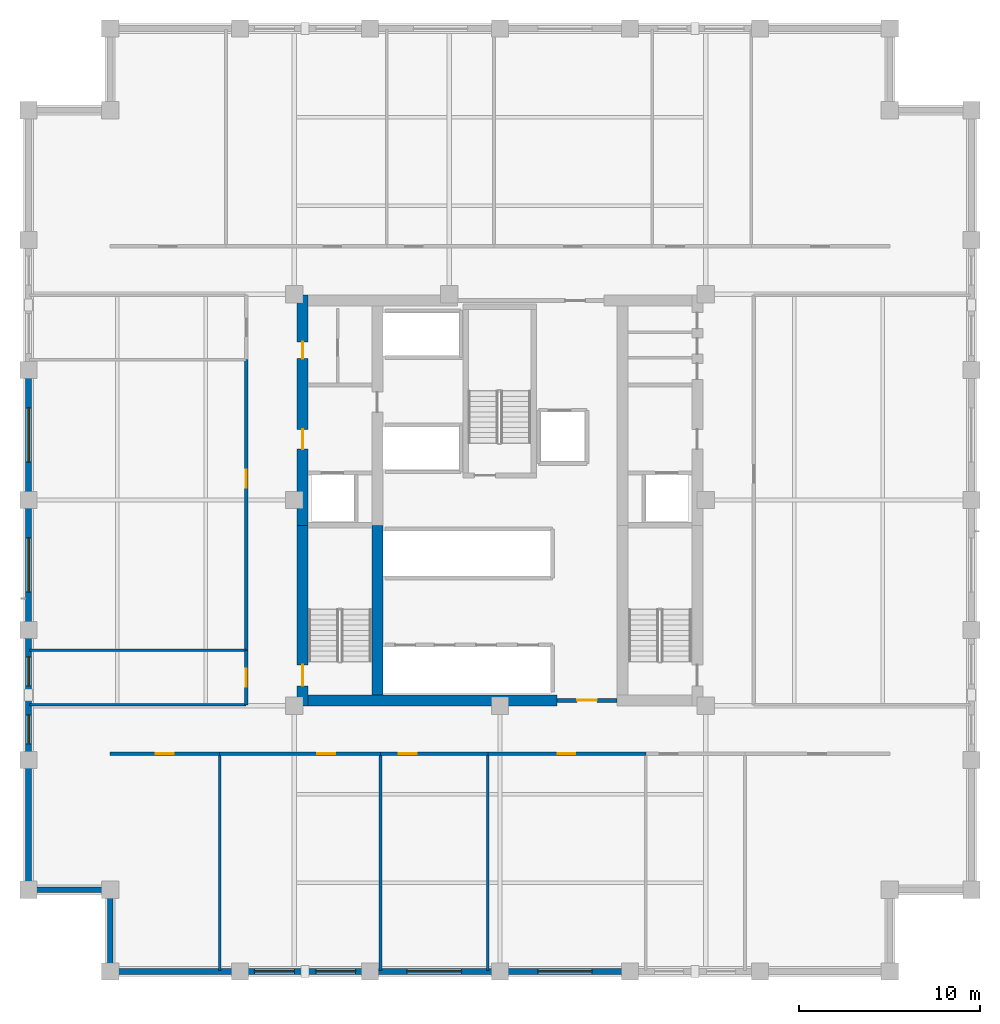
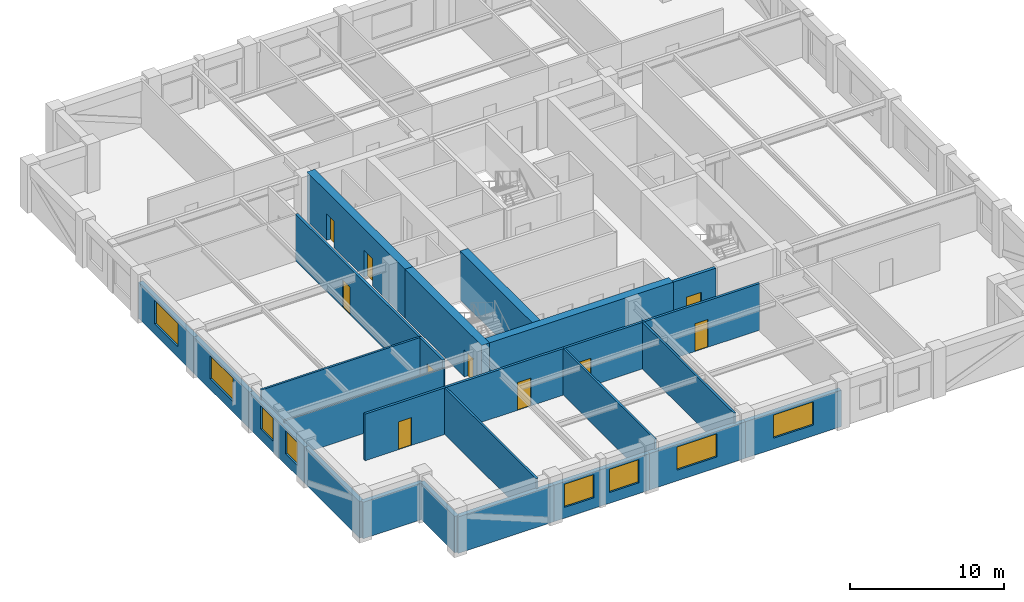
# One storey, part 5 of 9: 26 walls, 10 doors, 8 windows, 18 openings.
"""IFC4 building model written with IfcOpenShell, lengths in metres."""

from ifc_helpers import new_model, si_unit, direction, frame, frame_2d, origin, place, context, subcontext, project, spatial, rectangle, extrude, material, layer, layer_set, type_object, element, fill, save


model = new_model("IFC4")

# Units and contexts
model_context = context("Model", 3, precision=1e-05, world=origin(), true_north=direction((0.0, 1.0)))
body_context = subcontext(model_context, "Body", "Model", "MODEL_VIEW")
ifc_project = project(units=[si_unit("LENGTHUNIT", "METRE"), si_unit("AREAUNIT", "SQUARE_METRE"), si_unit("VOLUMEUNIT", "CUBIC_METRE"), si_unit("PLANEANGLEUNIT", "RADIAN"), si_unit("MASSUNIT", "GRAM", prefix="KILO")], contexts=[model_context])

# Site, building, storey
site_placement = place(None, origin())
site = spatial("IfcSite", under=ifc_project, at=site_placement, CompositionType="ELEMENT")
building_placement = place(site_placement, origin())
building = spatial("IfcBuilding", under=site, at=building_placement, Name="Nhamokura Convention Tower", CompositionType="ELEMENT")
storey_placement = place(building_placement, frame((0.0, 0.0, 126.0)))
storey = spatial("IfcBuildingStorey", under=building, at=storey_placement, Name="L30", CompositionType="ELEMENT", Elevation=126.0)

# Wall
ifc_material_1 = material(Name="Bronze-pigmented precast concrete C45/55", Category="concrete")
ifc_layer_1 = layer(ifc_material_1, 0.320068359375)
ifc_layer_set_1 = layer_set([ifc_layer_1], Name="BronzePrecastSpandrel_320")
wall_type_1 = type_object("IfcWallType", Name="BronzePrecastSpandrel_320", PredefinedType="USERDEFINED", material=ifc_layer_set_1)
wall_1_placement = place(storey_placement, frame((17.666748046875, 6.0, 0.0), z_axis=(0.0, 0.0, 1.0), x_axis=(-1.0, 0.0, 0.0)))
element("IfcWall", 1, at=wall_1_placement, inside=storey, type_object=wall_type_1, Name="L30 Braced-Bay Precast Wall SOUTH 0", ObjectType="SPANDREL_WALL", PredefinedType="USERDEFINED", context=body_context, shape_type="SweptSolid", body=[
    extrude(rectangle(XDim=7.166748046875, YDim=0.320068359375, at=frame_2d((3.58349609375, 0.0))), origin(), (0.0, 0.0, 1.0), 2.885009765625),
])

# Wall, openings, windows
wall_2_placement = place(storey_placement, frame((24.833251953125, 6.0, 0.0), z_axis=(0.0, 0.0, 1.0), x_axis=(-1.0, 0.0, 0.0)))
wall_2 = element("IfcWall", 2, at=wall_2_placement, inside=storey, type_object=wall_type_1, Name="L30 Masonry-Frame Wall SOUTH 1", ObjectType="SPANDREL_WALL", PredefinedType="USERDEFINED", context=body_context, shape_type="SweptSolid", body=[
    extrude(rectangle(XDim=7.16650390625, YDim=0.320068359375, at=frame_2d((3.583251953125, 0.0))), origin(), (0.0, 0.0, 1.0), 2.885009765625),
])
opening_1_placement = place(wall_2_placement, frame((0.791748046875, 0.0, 0.85009765625)))
opening_1 = element("IfcOpeningElement", 3, at=opening_1_placement, cuts=wall_2, Name="Opening W-06", PredefinedType="OPENING", context=body_context, shape_type="SweptSolid", body=[
    extrude(rectangle(XDim=2.199951171875, YDim=1.8349609375, at=frame_2d((1.10009765625, 0.91748046875))), frame((0.0, 0.169921875, 0.0), z_axis=(0.0, -1.0, 0.0), x_axis=(1.0, 0.0, 0.0)), (0.0, 0.0, 1.0), 0.340087890625),
])
opening_2_placement = place(wall_2_placement, frame((4.175048828125, 0.0, 0.85009765625)))
opening_2 = element("IfcOpeningElement", 4, at=opening_2_placement, cuts=wall_2, Name="Opening W-06", PredefinedType="OPENING", context=body_context, shape_type="SweptSolid", body=[
    extrude(rectangle(XDim=2.199951171875, YDim=1.8349609375, at=frame_2d((1.10009765625, 0.91748046875))), frame((0.0, 0.169921875, 0.0), z_axis=(0.0, -1.0, 0.0), x_axis=(1.0, 0.0, 0.0)), (0.0, 0.0, 1.0), 0.340087890625),
])
ifc_material_2 = material(Name="Solar-control bronze low-E double glass", Category="glass")
window_type_1 = type_object("IfcWindowType", Name="OfficeModuleWindow_Z2_2200", PartitioningType="SINGLE_PANEL", PredefinedType="WINDOW", material=ifc_material_2)
window_1_placement = place(opening_1_placement, origin())
window_1 = element("IfcWindow", 5, at=window_1_placement, inside=storey, type_object=window_type_1, Name="L30 Facade Window SOUTH 1-1", OverallHeight=1.8349609375, OverallWidth=2.199951171875, PartitioningType="SINGLE_PANEL", PredefinedType="WINDOW", context=body_context, shape_type="SweptSolid", body=[
    extrude(rectangle(XDim=2.199951171875, YDim=1.8349609375, at=frame_2d((1.10009765625, 0.91748046875))), frame((0.0, 0.030029296875, 0.0), z_axis=(0.0, -1.0, 0.0), x_axis=(1.0, 0.0, 0.0)), (0.0, 0.0, 1.0), 0.06005859375),
])
fill(opening_1, window_1)
window_2_placement = place(opening_2_placement, origin())
window_2 = element("IfcWindow", 6, at=window_2_placement, inside=storey, type_object=window_type_1, Name="L30 Facade Window SOUTH 1-2", OverallHeight=1.8349609375, OverallWidth=2.199951171875, PartitioningType="SINGLE_PANEL", PredefinedType="WINDOW", context=body_context, shape_type="SweptSolid", body=[
    extrude(rectangle(XDim=2.199951171875, YDim=1.8349609375, at=frame_2d((1.10009765625, 0.91748046875))), frame((0.0, 0.030029296875, 0.0), z_axis=(0.0, -1.0, 0.0), x_axis=(1.0, 0.0, 0.0)), (0.0, 0.0, 1.0), 0.06005859375),
])
fill(opening_2, window_2)

# Wall, opening, window
wall_3_placement = place(storey_placement, frame((32.0, 6.0, 0.0), z_axis=(0.0, 0.0, 1.0), x_axis=(-1.0, 0.0, 0.0)))
wall_3 = element("IfcWall", 7, at=wall_3_placement, inside=storey, type_object=wall_type_1, Name="L30 Masonry-Frame Wall SOUTH 2", ObjectType="SPANDREL_WALL", PredefinedType="USERDEFINED", context=body_context, shape_type="SweptSolid", body=[
    extrude(rectangle(XDim=7.166748046875, YDim=0.320068359375, at=frame_2d((3.58349609375, 0.0))), origin(), (0.0, 0.0, 1.0), 2.885009765625),
])
opening_3_placement = place(wall_3_placement, frame((2.13330078125, 0.0, 0.85009765625)))
opening_3 = element("IfcOpeningElement", 8, at=opening_3_placement, cuts=wall_3, Name="Opening W-05", PredefinedType="OPENING", context=body_context, shape_type="SweptSolid", body=[
    extrude(rectangle(XDim=3.0, YDim=1.8349609375, at=frame_2d((1.5, 0.91748046875))), frame((0.0, 0.169921875, 0.0), z_axis=(0.0, -1.0, 0.0), x_axis=(1.0, 0.0, 0.0)), (0.0, 0.0, 1.0), 0.340087890625),
])
ifc_material_3 = material(Name="Solar-control bronze low-E double glass", Category="glass")
window_type_2 = type_object("IfcWindowType", Name="OfficeModuleWindow_Z2_3000", PartitioningType="DOUBLE_PANEL_VERTICAL", PredefinedType="WINDOW", material=ifc_material_3)
window_3_placement = place(opening_3_placement, origin())
window_3 = element("IfcWindow", 9, at=window_3_placement, inside=storey, type_object=window_type_2, Name="L30 Facade Window SOUTH 2", OverallHeight=1.8349609375, OverallWidth=3.0, PartitioningType="SINGLE_PANEL", PredefinedType="WINDOW", context=body_context, shape_type="SweptSolid", body=[
    extrude(rectangle(XDim=3.0, YDim=1.8349609375, at=frame_2d((1.5, 0.91748046875))), frame((0.0, 0.030029296875, 0.0), z_axis=(0.0, -1.0, 0.0), x_axis=(1.0, 0.0, 0.0)), (0.0, 0.0, 1.0), 0.06005859375),
])
fill(opening_3, window_3)

wall_4_placement = place(storey_placement, frame((39.166748046875, 6.0, 0.0), z_axis=(0.0, 0.0, 1.0), x_axis=(-1.0, 0.0, 0.0)))
wall_4 = element("IfcWall", 10, at=wall_4_placement, inside=storey, type_object=wall_type_1, Name="L30 Masonry-Frame Wall SOUTH 3", ObjectType="SPANDREL_WALL", PredefinedType="USERDEFINED", context=body_context, shape_type="SweptSolid", body=[
    extrude(rectangle(XDim=7.166748046875, YDim=0.320068359375, at=frame_2d((3.58349609375, 0.0))), origin(), (0.0, 0.0, 1.0), 2.885009765625),
])
opening_4_placement = place(wall_4_placement, frame((2.083251953125, 0.0, 0.85009765625)))
opening_4 = element("IfcOpeningElement", 11, at=opening_4_placement, cuts=wall_4, Name="Opening W-05", PredefinedType="OPENING", context=body_context, shape_type="SweptSolid", body=[
    extrude(rectangle(XDim=3.0, YDim=1.8349609375, at=frame_2d((1.5, 0.91748046875))), frame((0.0, 0.169921875, 0.0), z_axis=(0.0, -1.0, 0.0), x_axis=(1.0, 0.0, 0.0)), (0.0, 0.0, 1.0), 0.340087890625),
])
window_4_placement = place(opening_4_placement, origin())
window_4 = element("IfcWindow", 12, at=window_4_placement, inside=storey, type_object=window_type_2, Name="L30 Facade Window SOUTH 3", OverallHeight=1.8349609375, OverallWidth=3.0, PartitioningType="SINGLE_PANEL", PredefinedType="WINDOW", context=body_context, shape_type="SweptSolid", body=[
    extrude(rectangle(XDim=3.0, YDim=1.8349609375, at=frame_2d((1.5, 0.91748046875))), frame((0.0, 0.030029296875, 0.0), z_axis=(0.0, -1.0, 0.0), x_axis=(1.0, 0.0, 0.0)), (0.0, 0.0, 1.0), 0.06005859375),
])
fill(opening_4, window_4)

# Wall
wall_5_placement = place(storey_placement, frame((6.0, 10.5, 0.0), z_axis=(0.0, 0.0, 1.0), x_axis=(0.0, 1.0, 0.0)))
element("IfcWall", 13, at=wall_5_placement, inside=storey, type_object=wall_type_1, Name="L30 Braced-Bay Precast Wall WEST 0", ObjectType="SPANDREL_WALL", PredefinedType="USERDEFINED", context=body_context, shape_type="SweptSolid", body=[
    extrude(rectangle(XDim=7.166748046875, YDim=0.320068359375, at=frame_2d((3.58349609375, 0.0))), origin(), (0.0, 0.0, 1.0), 2.885009765625),
])

# Wall, openings, windows
wall_6_placement = place(storey_placement, frame((6.0, 17.666748046875, 0.0), z_axis=(0.0, 0.0, 1.0), x_axis=(0.0, 1.0, 0.0)))
wall_6 = element("IfcWall", 14, at=wall_6_placement, inside=storey, type_object=wall_type_1, Name="L30 Masonry-Frame Wall WEST 1", ObjectType="SPANDREL_WALL", PredefinedType="USERDEFINED", context=body_context, shape_type="SweptSolid", body=[
    extrude(rectangle(XDim=7.16650390625, YDim=0.320068359375, at=frame_2d((3.583251953125, 0.0))), origin(), (0.0, 0.0, 1.0), 2.885009765625),
])
opening_5_placement = place(wall_6_placement, frame((0.879150390625, 0.0, 0.85009765625)))
opening_5 = element("IfcOpeningElement", 15, at=opening_5_placement, cuts=wall_6, Name="Opening W-11", PredefinedType="OPENING", context=body_context, shape_type="SweptSolid", body=[
    extrude(rectangle(XDim=1.60009765625, YDim=1.8349609375, at=frame_2d((0.800048828125, 0.91748046875))), frame((0.0, 0.169921875, 0.0), z_axis=(0.0, -1.0, 0.0), x_axis=(1.0, 0.0, 0.0)), (0.0, 0.0, 1.0), 0.340087890625),
])
opening_6_placement = place(wall_6_placement, frame((4.074951171875, 0.0, 0.85009765625)))
opening_6 = element("IfcOpeningElement", 16, at=opening_6_placement, cuts=wall_6, Name="Opening W-11", PredefinedType="OPENING", context=body_context, shape_type="SweptSolid", body=[
    extrude(rectangle(XDim=1.60009765625, YDim=1.8349609375, at=frame_2d((0.800048828125, 0.91748046875))), frame((0.0, 0.169921875, 0.0), z_axis=(0.0, -1.0, 0.0), x_axis=(1.0, 0.0, 0.0)), (0.0, 0.0, 1.0), 0.340087890625),
])
ifc_material_4 = material(Name="Solar-control bronze low-E double glass", Category="glass")
window_type_3 = type_object("IfcWindowType", Name="NotchCornerWindow_1600", PartitioningType="SINGLE_PANEL", PredefinedType="WINDOW", material=ifc_material_4)
window_5_placement = place(opening_5_placement, origin())
window_5 = element("IfcWindow", 17, at=window_5_placement, inside=storey, type_object=window_type_3, Name="L30 Facade Window WEST 1-1", OverallHeight=1.8349609375, OverallWidth=1.60009765625, PartitioningType="SINGLE_PANEL", PredefinedType="WINDOW", context=body_context, shape_type="SweptSolid", body=[
    extrude(rectangle(XDim=1.60009765625, YDim=1.8349609375, at=frame_2d((0.800048828125, 0.91748046875))), frame((0.0, 0.030029296875, 0.0), z_axis=(0.0, -1.0, 0.0), x_axis=(1.0, 0.0, 0.0)), (0.0, 0.0, 1.0), 0.06005859375),
])
fill(opening_5, window_5)
window_6_placement = place(opening_6_placement, origin())
window_6 = element("IfcWindow", 18, at=window_6_placement, inside=storey, type_object=window_type_3, Name="L30 Facade Window WEST 1-2", OverallHeight=1.8349609375, OverallWidth=1.60009765625, PartitioningType="SINGLE_PANEL", PredefinedType="WINDOW", context=body_context, shape_type="SweptSolid", body=[
    extrude(rectangle(XDim=1.60009765625, YDim=1.8349609375, at=frame_2d((0.800048828125, 0.91748046875))), frame((0.0, 0.030029296875, 0.0), z_axis=(0.0, -1.0, 0.0), x_axis=(1.0, 0.0, 0.0)), (0.0, 0.0, 1.0), 0.06005859375),
])
fill(opening_6, window_6)

# Wall, opening, window
wall_7_placement = place(storey_placement, frame((6.0, 24.833251953125, 0.0), z_axis=(0.0, 0.0, 1.0), x_axis=(0.0, 1.0, 0.0)))
wall_7 = element("IfcWall", 19, at=wall_7_placement, inside=storey, type_object=wall_type_1, Name="L30 Masonry-Frame Wall WEST 2", ObjectType="SPANDREL_WALL", PredefinedType="USERDEFINED", context=body_context, shape_type="SweptSolid", body=[
    extrude(rectangle(XDim=7.166748046875, YDim=0.320068359375, at=frame_2d((3.58349609375, 0.0))), origin(), (0.0, 0.0, 1.0), 2.885009765625),
])
opening_7_placement = place(wall_7_placement, frame((2.083251953125, 0.0, 0.85009765625)))
opening_7 = element("IfcOpeningElement", 20, at=opening_7_placement, cuts=wall_7, Name="Opening W-05", PredefinedType="OPENING", context=body_context, shape_type="SweptSolid", body=[
    extrude(rectangle(XDim=3.0, YDim=1.8349609375, at=frame_2d((1.5, 0.91748046875))), frame((0.0, 0.169921875, 0.0), z_axis=(0.0, -1.0, 0.0), x_axis=(1.0, 0.0, 0.0)), (0.0, 0.0, 1.0), 0.340087890625),
])
window_7_placement = place(opening_7_placement, origin())
window_7 = element("IfcWindow", 21, at=window_7_placement, inside=storey, type_object=window_type_2, Name="L30 Facade Window WEST 2", OverallHeight=1.8349609375, OverallWidth=3.0, PartitioningType="SINGLE_PANEL", PredefinedType="WINDOW", context=body_context, shape_type="SweptSolid", body=[
    extrude(rectangle(XDim=3.0, YDim=1.8349609375, at=frame_2d((1.5, 0.91748046875))), frame((0.0, 0.030029296875, 0.0), z_axis=(0.0, -1.0, 0.0), x_axis=(1.0, 0.0, 0.0)), (0.0, 0.0, 1.0), 0.06005859375),
])
fill(opening_7, window_7)

wall_8_placement = place(storey_placement, frame((6.0, 32.0, 0.0), z_axis=(0.0, 0.0, 1.0), x_axis=(0.0, 1.0, 0.0)))
wall_8 = element("IfcWall", 22, at=wall_8_placement, inside=storey, type_object=wall_type_1, Name="L30 Masonry-Frame Wall WEST 3", ObjectType="SPANDREL_WALL", PredefinedType="USERDEFINED", context=body_context, shape_type="SweptSolid", body=[
    extrude(rectangle(XDim=7.166748046875, YDim=0.320068359375, at=frame_2d((3.58349609375, 0.0))), origin(), (0.0, 0.0, 1.0), 2.885009765625),
])
opening_8_placement = place(wall_8_placement, frame((2.083251953125, 0.0, 0.85009765625)))
opening_8 = element("IfcOpeningElement", 23, at=opening_8_placement, cuts=wall_8, Name="Opening W-05", PredefinedType="OPENING", context=body_context, shape_type="SweptSolid", body=[
    extrude(rectangle(XDim=3.0, YDim=1.8349609375, at=frame_2d((1.5, 0.91748046875))), frame((0.0, 0.169921875, 0.0), z_axis=(0.0, -1.0, 0.0), x_axis=(1.0, 0.0, 0.0)), (0.0, 0.0, 1.0), 0.340087890625),
])
window_8_placement = place(opening_8_placement, origin())
window_8 = element("IfcWindow", 24, at=window_8_placement, inside=storey, type_object=window_type_2, Name="L30 Facade Window WEST 3", OverallHeight=1.8349609375, OverallWidth=3.0, PartitioningType="SINGLE_PANEL", PredefinedType="WINDOW", context=body_context, shape_type="SweptSolid", body=[
    extrude(rectangle(XDim=3.0, YDim=1.8349609375, at=frame_2d((1.5, 0.91748046875))), frame((0.0, 0.030029296875, 0.0), z_axis=(0.0, -1.0, 0.0), x_axis=(1.0, 0.0, 0.0)), (0.0, 0.0, 1.0), 0.06005859375),
])
fill(opening_8, window_8)

# Walls
for number, where, z_axis, x_axis, name in (
    (25, (10.5, 6.0, 0.0), (0.0, 0.0, 1.0), (0.0, 1.0, 0.0), "L30 Notched Corner Wall SW1"),
    (26, (10.5, 10.5, 0.0), (0.0, 0.0, 1.0), (-1.0, 0.0, 0.0), "L30 Notched Corner Wall SW2"),
):
    element("IfcWall", number, at=place(storey_placement, frame(where, z_axis=z_axis, x_axis=x_axis)), inside=storey, type_object=wall_type_1, Name=name, ObjectType="SPANDREL_WALL", PredefinedType="USERDEFINED", context=body_context, shape_type="SweptSolid", body=[
        extrude(rectangle(XDim=4.5, YDim=0.320068359375, at=frame_2d((2.25, 0.0))), origin(), (0.0, 0.0, 1.0), 2.885009765625),
    ])

# Wall, opening, door
ifc_material_5 = material(Name="Concrete C60/75", Category="concrete")
ifc_layer_2 = layer(ifc_material_5, 0.60009765625)
ifc_layer_set_2 = layer_set([ifc_layer_2], Name="CoreShearWall_600")
wall_type_2 = type_object("IfcWallType", Name="CoreShearWall_600", PredefinedType="SHEAR", material=ifc_layer_set_2)
wall_9_placement = place(storey_placement, frame((21.110107421875, 20.64990234375, 0.0), z_axis=(0.0, 0.0, 1.0), x_axis=(0.0, 1.0, 0.0)))
wall_9 = element("IfcWall", 27, at=wall_9_placement, inside=storey, type_object=wall_type_2, Name="L30 Core Shear Wall CW-WS", PredefinedType="SHEAR", context=body_context, shape_type="SweptSolid", body=[
    extrude(rectangle(XDim=9.9501953125, YDim=0.60009765625, at=frame_2d((4.97509765625, 0.0))), origin(), (0.0, 0.0, 1.0), 3.85009765625),
])
opening_9_placement = place(wall_9_placement, frame((1.10009765625, 0.0, 0.0)))
opening_9 = element("IfcOpeningElement", 28, at=opening_9_placement, cuts=wall_9, Name="Opening D-04", PredefinedType="OPENING", context=body_context, shape_type="SweptSolid", body=[
    extrude(rectangle(XDim=1.14990234375, YDim=2.14990234375, at=frame_2d((0.574951171875, 1.074951171875))), frame((0.0, 0.31005859375, 0.0), z_axis=(0.0, -1.0, 0.0), x_axis=(1.0, 0.0, 0.0)), (0.0, 0.0, 1.0), 0.6201171875),
])
ifc_material_6 = material(Name="Fire-rated steel door", Category="steel")
door_type_1 = type_object("IfcDoorType", Name="StairSmokeDoor_1150", OperationType="NOTDEFINED", PredefinedType="DOOR", material=ifc_material_6)
door_1_placement = place(opening_9_placement, origin())
door_1 = element("IfcDoor", 29, at=door_1_placement, inside=storey, type_object=door_type_1, Name="L30 Core Door INT-L30-D-ST01", OperationType="SINGLE_SWING_LEFT", OverallHeight=2.14990234375, OverallWidth=1.14990234375, PredefinedType="DOOR", context=body_context, shape_type="SweptSolid", body=[
    extrude(rectangle(XDim=1.14990234375, YDim=2.14990234375, at=frame_2d((0.574951171875, 1.074951171875))), frame((0.0, 0.02490234375, 0.0), z_axis=(0.0, -1.0, 0.0), x_axis=(1.0, 0.0, 0.0)), (0.0, 0.0, 1.0), 0.050048828125),
])
fill(opening_9, door_1)

# Wall, openings, doors
wall_10_placement = place(storey_placement, frame((21.110107421875, 30.60009765625, 0.0), z_axis=(0.0, 0.0, 1.0), x_axis=(0.0, 1.0, 0.0)))
wall_10 = element("IfcWall", 30, at=wall_10_placement, inside=storey, type_object=wall_type_2, Name="L30 Core Shear Wall CW-WN", PredefinedType="SHEAR", context=body_context, shape_type="SweptSolid", body=[
    extrude(rectangle(XDim=12.699951171875, YDim=0.60009765625, at=frame_2d((6.35009765625, 0.0))), origin(), (0.0, 0.0, 1.0), 3.85009765625),
])
opening_10_placement = place(wall_10_placement, frame((4.199951171875, 0.0, 0.0)))
opening_10 = element("IfcOpeningElement", 31, at=opening_10_placement, cuts=wall_10, Name="Opening D-05", PredefinedType="OPENING", context=body_context, shape_type="SweptSolid", body=[
    extrude(rectangle(XDim=1.10009765625, YDim=2.14990234375, at=frame_2d((0.550048828125, 1.074951171875))), frame((0.0, 0.31005859375, 0.0), z_axis=(0.0, -1.0, 0.0), x_axis=(1.0, 0.0, 0.0)), (0.0, 0.0, 1.0), 0.6201171875),
])
opening_11_placement = place(wall_10_placement, frame((9.199951171875, 0.0, 0.0)))
opening_11 = element("IfcOpeningElement", 32, at=opening_11_placement, cuts=wall_10, Name="Opening D-10", PredefinedType="OPENING", context=body_context, shape_type="SweptSolid", body=[
    extrude(rectangle(XDim=0.919921875, YDim=2.10009765625, at=frame_2d((0.4599609375, 1.050048828125))), frame((0.0, 0.31005859375, 0.0), z_axis=(0.0, -1.0, 0.0), x_axis=(1.0, 0.0, 0.0)), (0.0, 0.0, 1.0), 0.6201171875),
])
ifc_material_7 = material(Name="Solid oak hardwood", Category="wood")
door_type_2 = type_object("IfcDoorType", Name="AccessibleWCDoor_920", OperationType="NOTDEFINED", PredefinedType="DOOR", material=ifc_material_7)
door_2_placement = place(opening_11_placement, origin())
door_2 = element("IfcDoor", 33, at=door_2_placement, inside=storey, type_object=door_type_2, Name="L30 Core Door INT-L30-D-AWCW", OperationType="SINGLE_SWING_RIGHT", OverallHeight=2.10009765625, OverallWidth=0.919921875, PredefinedType="DOOR", context=body_context, shape_type="SweptSolid", body=[
    extrude(rectangle(XDim=0.919921875, YDim=2.10009765625, at=frame_2d((0.4599609375, 1.050048828125))), frame((0.0, 0.02490234375, 0.0), z_axis=(0.0, -1.0, 0.0), x_axis=(1.0, 0.0, 0.0)), (0.0, 0.0, 1.0), 0.050048828125),
])
fill(opening_11, door_2)
ifc_material_8 = material(Name="Fire-rated steel door", Category="steel")
door_type_3 = type_object("IfcDoorType", Name="FireLobbyDoor_1100", OperationType="NOTDEFINED", PredefinedType="DOOR", material=ifc_material_8)
door_3_placement = place(opening_10_placement, origin())
door_3 = element("IfcDoor", 34, at=door_3_placement, inside=storey, type_object=door_type_3, Name="L30 Core Door INT-L30-D-FFLW", OperationType="SINGLE_SWING_RIGHT", OverallHeight=2.14990234375, OverallWidth=1.10009765625, PredefinedType="DOOR", context=body_context, shape_type="SweptSolid", body=[
    extrude(rectangle(XDim=1.10009765625, YDim=2.14990234375, at=frame_2d((0.550048828125, 1.074951171875))), frame((0.0, 0.02490234375, 0.0), z_axis=(0.0, -1.0, 0.0), x_axis=(1.0, 0.0, 0.0)), (0.0, 0.0, 1.0), 0.050048828125),
])
fill(opening_10, door_3)

# Walls
wall_11_placement = place(storey_placement, frame((21.409912109375, 20.949951171875, 0.0), z_axis=(0.0, 0.0, 1.0), x_axis=(1.0, 0.0, 0.0)))
element("IfcWall", 35, at=wall_11_placement, inside=storey, type_object=wall_type_2, Name="L30 Core Shear Wall CW-S1", PredefinedType="SHEAR", context=body_context, shape_type="SweptSolid", body=[
    extrude(rectangle(XDim=13.739990234375, YDim=0.60009765625, at=frame_2d((6.8701171875, 0.0))), origin(), (0.0, 0.0, 1.0), 3.85009765625),
])
wall_12_placement = place(storey_placement, frame((25.239990234375, 21.25, 0.0), z_axis=(0.0, 0.0, 1.0), x_axis=(0.0, 1.0, 0.0)))
element("IfcWall", 36, at=wall_12_placement, inside=storey, type_object=wall_type_2, Name="L30 Core Shear Wall CW-IWS", PredefinedType="SHEAR", context=body_context, shape_type="SweptSolid", body=[
    extrude(rectangle(XDim=9.35009765625, YDim=0.60009765625, at=frame_2d((4.675048828125, 0.0))), origin(), (0.0, 0.0, 1.0), 3.85009765625),
])

# Wall, opening, door
ifc_material_9 = material(Name="Fire-rated gypsum and masonry partition", Category="masonry")
ifc_layer_3 = layer(ifc_material_9, 0.179931640625)
ifc_layer_set_3 = layer_set([ifc_layer_3], Name="CorridorRatedWall_180")
wall_type_3 = type_object("IfcWallType", Name="CorridorRatedWall_180", PredefinedType="STANDARD", material=ifc_layer_set_3)
wall_13_placement = place(storey_placement, frame((10.5, 18.0, 0.0), z_axis=(0.0, 0.0, 1.0), x_axis=(1.0, 0.0, 0.0)))
wall_13 = element("IfcWall", 37, at=wall_13_placement, inside=storey, type_object=wall_type_3, Name="L30 Wall INT-L30-CW-S00", PredefinedType="STANDARD", context=body_context, shape_type="SweptSolid", body=[
    extrude(rectangle(XDim=6.041748046875, YDim=0.179931640625, at=frame_2d((3.02099609375, 0.0))), origin(), (0.0, 0.0, 1.0), 3.68505859375),
])
opening_12_placement = place(wall_13_placement, frame((2.520751953125, 0.0, 0.0)))
opening_12 = element("IfcOpeningElement", 38, at=opening_12_placement, cuts=wall_13, Name="Opening D-08", PredefinedType="OPENING", context=body_context, shape_type="SweptSolid", body=[
    extrude(rectangle(XDim=0.97998046875, YDim=2.199951171875, at=frame_2d((0.489990234375, 1.10009765625))), frame((0.0, 0.099853515625, 0.0), z_axis=(0.0, -1.0, 0.0), x_axis=(1.0, 0.0, 0.0)), (0.0, 0.0, 1.0), 0.199951171875),
])
ifc_material_10 = material(Name="Solid oak hardwood", Category="wood")
door_type_4 = type_object("IfcDoorType", Name="OfficeEntryDoor_980", OperationType="NOTDEFINED", PredefinedType="DOOR", material=ifc_material_10)
door_4_placement = place(opening_12_placement, origin())
door_4 = element("IfcDoor", 39, at=door_4_placement, inside=storey, type_object=door_type_4, Name="L30 Private Office S01 Door", OperationType="SINGLE_SWING_LEFT", OverallHeight=2.199951171875, OverallWidth=0.97998046875, PredefinedType="DOOR", context=body_context, shape_type="SweptSolid", body=[
    extrude(rectangle(XDim=0.97998046875, YDim=2.199951171875, at=frame_2d((0.489990234375, 1.10009765625))), frame((0.0, 0.02490234375, 0.0), z_axis=(0.0, -1.0, 0.0), x_axis=(1.0, 0.0, 0.0)), (0.0, 0.0, 1.0), 0.050048828125),
])
fill(opening_12, door_4)

wall_14_placement = place(storey_placement, frame((16.541748046875, 18.0, 0.0), z_axis=(0.0, 0.0, 1.0), x_axis=(1.0, 0.0, 0.0)))
wall_14 = element("IfcWall", 40, at=wall_14_placement, inside=storey, type_object=wall_type_3, Name="L30 Wall INT-L30-CW-S01", PredefinedType="STANDARD", context=body_context, shape_type="SweptSolid", body=[
    extrude(rectangle(XDim=8.866455078125, YDim=0.179931640625, at=frame_2d((4.43310546875, 0.0))), origin(), (0.0, 0.0, 1.0), 3.68505859375),
])
opening_13_placement = place(wall_14_placement, frame((5.38330078125, 0.0, 0.0)))
opening_13 = element("IfcOpeningElement", 41, at=opening_13_placement, cuts=wall_14, Name="Opening D-08", PredefinedType="OPENING", context=body_context, shape_type="SweptSolid", body=[
    extrude(rectangle(XDim=0.97998046875, YDim=2.199951171875, at=frame_2d((0.489990234375, 1.10009765625))), frame((0.0, 0.099853515625, 0.0), z_axis=(0.0, -1.0, 0.0), x_axis=(1.0, 0.0, 0.0)), (0.0, 0.0, 1.0), 0.199951171875),
])
door_5_placement = place(opening_13_placement, origin())
door_5 = element("IfcDoor", 42, at=door_5_placement, inside=storey, type_object=door_type_4, Name="L30 Private Office S02 Door", OperationType="SINGLE_SWING_RIGHT", OverallHeight=2.199951171875, OverallWidth=0.97998046875, PredefinedType="DOOR", context=body_context, shape_type="SweptSolid", body=[
    extrude(rectangle(XDim=0.97998046875, YDim=2.199951171875, at=frame_2d((0.489990234375, 1.10009765625))), frame((0.0, 0.02490234375, 0.0), z_axis=(0.0, -1.0, 0.0), x_axis=(1.0, 0.0, 0.0)), (0.0, 0.0, 1.0), 0.050048828125),
])
fill(opening_13, door_5)

wall_15_placement = place(storey_placement, frame((25.408203125, 18.0, 0.0), z_axis=(0.0, 0.0, 1.0), x_axis=(1.0, 0.0, 0.0)))
wall_15 = element("IfcWall", 43, at=wall_15_placement, inside=storey, type_object=wall_type_3, Name="L30 Wall INT-L30-CW-S02", PredefinedType="STANDARD", context=body_context, shape_type="SweptSolid", body=[
    extrude(rectangle(XDim=5.916748046875, YDim=0.179931640625, at=frame_2d((2.95849609375, 0.0))), origin(), (0.0, 0.0, 1.0), 3.68505859375),
])
opening_14_placement = place(wall_15_placement, frame((1.00830078125, 0.0, 0.0)))
opening_14 = element("IfcOpeningElement", 44, at=opening_14_placement, cuts=wall_15, Name="Opening D-08", PredefinedType="OPENING", context=body_context, shape_type="SweptSolid", body=[
    extrude(rectangle(XDim=0.97998046875, YDim=2.199951171875, at=frame_2d((0.489990234375, 1.10009765625))), frame((0.0, 0.099853515625, 0.0), z_axis=(0.0, -1.0, 0.0), x_axis=(1.0, 0.0, 0.0)), (0.0, 0.0, 1.0), 0.199951171875),
])
door_6_placement = place(opening_14_placement, origin())
door_6 = element("IfcDoor", 45, at=door_6_placement, inside=storey, type_object=door_type_4, Name="L30 Private Office S03 Door", OperationType="SINGLE_SWING_LEFT", OverallHeight=2.199951171875, OverallWidth=0.97998046875, PredefinedType="DOOR", context=body_context, shape_type="SweptSolid", body=[
    extrude(rectangle(XDim=0.97998046875, YDim=2.199951171875, at=frame_2d((0.489990234375, 1.10009765625))), frame((0.0, 0.02490234375, 0.0), z_axis=(0.0, -1.0, 0.0), x_axis=(1.0, 0.0, 0.0)), (0.0, 0.0, 1.0), 0.050048828125),
])
fill(opening_14, door_6)

wall_16_placement = place(storey_placement, frame((31.324951171875, 18.0, 0.0), z_axis=(0.0, 0.0, 1.0), x_axis=(1.0, 0.0, 0.0)))
wall_16 = element("IfcWall", 46, at=wall_16_placement, inside=storey, type_object=wall_type_3, Name="L30 Wall INT-L30-CW-S03", PredefinedType="STANDARD", context=body_context, shape_type="SweptSolid", body=[
    extrude(rectangle(XDim=8.716796875, YDim=0.179931640625, at=frame_2d((4.3583984375, 0.0))), origin(), (0.0, 0.0, 1.0), 3.68505859375),
])
opening_15_placement = place(wall_16_placement, frame((3.8583984375, 0.0, 0.0)))
opening_15 = element("IfcOpeningElement", 47, at=opening_15_placement, cuts=wall_16, Name="Opening D-08", PredefinedType="OPENING", context=body_context, shape_type="SweptSolid", body=[
    extrude(rectangle(XDim=0.97998046875, YDim=2.199951171875, at=frame_2d((0.489990234375, 1.10009765625))), frame((0.0, 0.099853515625, 0.0), z_axis=(0.0, -1.0, 0.0), x_axis=(1.0, 0.0, 0.0)), (0.0, 0.0, 1.0), 0.199951171875),
])
door_7_placement = place(opening_15_placement, origin())
door_7 = element("IfcDoor", 48, at=door_7_placement, inside=storey, type_object=door_type_4, Name="L30 Private Office S04 Door", OperationType="SINGLE_SWING_RIGHT", OverallHeight=2.199951171875, OverallWidth=0.97998046875, PredefinedType="DOOR", context=body_context, shape_type="SweptSolid", body=[
    extrude(rectangle(XDim=0.97998046875, YDim=2.199951171875, at=frame_2d((0.489990234375, 1.10009765625))), frame((0.0, 0.02490234375, 0.0), z_axis=(0.0, -1.0, 0.0), x_axis=(1.0, 0.0, 0.0)), (0.0, 0.0, 1.0), 0.050048828125),
])
fill(opening_15, door_7)

wall_17_placement = place(storey_placement, frame((18.0, 20.699951171875, 0.0), z_axis=(0.0, 0.0, 1.0), x_axis=(0.0, 1.0, 0.0)))
wall_17 = element("IfcWall", 49, at=wall_17_placement, inside=storey, type_object=wall_type_3, Name="L30 Wall INT-L30-CW-W00", PredefinedType="STANDARD", context=body_context, shape_type="SweptSolid", body=[
    extrude(rectangle(XDim=3.00830078125, YDim=0.179931640625, at=frame_2d((1.504150390625, 0.0))), origin(), (0.0, 0.0, 1.0), 3.68505859375),
])
opening_16_placement = place(wall_17_placement, frame((1.004150390625, 0.0, 0.0)))
opening_16 = element("IfcOpeningElement", 50, at=opening_16_placement, cuts=wall_17, Name="Opening D-08", PredefinedType="OPENING", context=body_context, shape_type="SweptSolid", body=[
    extrude(rectangle(XDim=0.97998046875, YDim=2.199951171875, at=frame_2d((0.489990234375, 1.10009765625))), frame((0.0, 0.099853515625, 0.0), z_axis=(0.0, -1.0, 0.0), x_axis=(1.0, 0.0, 0.0)), (0.0, 0.0, 1.0), 0.199951171875),
])
door_8_placement = place(opening_16_placement, origin())
door_8 = element("IfcDoor", 51, at=door_8_placement, inside=storey, type_object=door_type_4, Name="L30 Meeting Room W01 Door", OperationType="SINGLE_SWING_LEFT", OverallHeight=2.199951171875, OverallWidth=0.97998046875, PredefinedType="DOOR", context=body_context, shape_type="SweptSolid", body=[
    extrude(rectangle(XDim=0.97998046875, YDim=2.199951171875, at=frame_2d((0.489990234375, 1.10009765625))), frame((0.0, 0.02490234375, 0.0), z_axis=(0.0, -1.0, 0.0), x_axis=(1.0, 0.0, 0.0)), (0.0, 0.0, 1.0), 0.050048828125),
])
fill(opening_16, door_8)

wall_18_placement = place(storey_placement, frame((18.0, 23.708251953125, 0.0), z_axis=(0.0, 0.0, 1.0), x_axis=(0.0, 1.0, 0.0)))
wall_18 = element("IfcWall", 52, at=wall_18_placement, inside=storey, type_object=wall_type_3, Name="L30 Wall INT-L30-CW-W01", PredefinedType="STANDARD", context=body_context, shape_type="SweptSolid", body=[
    extrude(rectangle(XDim=16.033447265625, YDim=0.179931640625, at=frame_2d((8.0166015625, 0.0))), origin(), (0.0, 0.0, 1.0), 3.68505859375),
])
opening_17_placement = place(wall_18_placement, frame((8.966796875, 0.0, 0.0)))
opening_17 = element("IfcOpeningElement", 53, at=opening_17_placement, cuts=wall_18, Name="Opening D-08", PredefinedType="OPENING", context=body_context, shape_type="SweptSolid", body=[
    extrude(rectangle(XDim=0.97998046875, YDim=2.199951171875, at=frame_2d((0.489990234375, 1.10009765625))), frame((0.0, 0.099853515625, 0.0), z_axis=(0.0, -1.0, 0.0), x_axis=(1.0, 0.0, 0.0)), (0.0, 0.0, 1.0), 0.199951171875),
])
door_9_placement = place(opening_17_placement, origin())
door_9 = element("IfcDoor", 54, at=door_9_placement, inside=storey, type_object=door_type_4, Name="L30 Private Office W02 Door", OperationType="SINGLE_SWING_RIGHT", OverallHeight=2.199951171875, OverallWidth=0.97998046875, PredefinedType="DOOR", context=body_context, shape_type="SweptSolid", body=[
    extrude(rectangle(XDim=0.97998046875, YDim=2.199951171875, at=frame_2d((0.489990234375, 1.10009765625))), frame((0.0, 0.02490234375, 0.0), z_axis=(0.0, -1.0, 0.0), x_axis=(1.0, 0.0, 0.0)), (0.0, 0.0, 1.0), 0.050048828125),
])
fill(opening_17, door_9)

ifc_material_11 = material(Name="Autoclaved concrete blockwork", Category="masonry")
ifc_layer_4 = layer(ifc_material_11, 0.219970703125)
ifc_layer_set_4 = layer_set([ifc_layer_4], Name="FireLobbyWall_220")
wall_type_4 = type_object("IfcWallType", Name="FireLobbyWall_220", PredefinedType="STANDARD", material=ifc_layer_set_4)
wall_19_placement = place(storey_placement, frame((35.14990234375, 20.949951171875, 0.0), z_axis=(0.0, 0.0, 1.0), x_axis=(1.0, 0.0, 0.0)))
wall_19 = element("IfcWall", 55, at=wall_19_placement, inside=storey, type_object=wall_type_4, Name="L30 Wall INT-L30-SPORT-S", PredefinedType="STANDARD", context=body_context, shape_type="SweptSolid", body=[
    extrude(rectangle(XDim=3.300048828125, YDim=0.219970703125, at=frame_2d((1.64990234375, 0.0))), origin(), (0.0, 0.0, 1.0), 3.68505859375),
])
opening_18_placement = place(wall_19_placement, frame((1.10009765625, 0.0, 0.0)))
opening_18 = element("IfcOpeningElement", 56, at=opening_18_placement, cuts=wall_19, Name="Opening D-05", PredefinedType="OPENING", context=body_context, shape_type="SweptSolid", body=[
    extrude(rectangle(XDim=1.10009765625, YDim=2.14990234375, at=frame_2d((0.550048828125, 1.074951171875))), frame((0.0, 0.119873046875, 0.0), z_axis=(0.0, -1.0, 0.0), x_axis=(1.0, 0.0, 0.0)), (0.0, 0.0, 1.0), 0.239990234375),
])
door_10_placement = place(opening_18_placement, origin())
door_10 = element("IfcDoor", 57, at=door_10_placement, inside=storey, type_object=door_type_3, Name="L30 South Core Lobby Portal Door", OperationType="SINGLE_SWING_LEFT", OverallHeight=2.14990234375, OverallWidth=1.10009765625, PredefinedType="DOOR", context=body_context, shape_type="SweptSolid", body=[
    extrude(rectangle(XDim=1.10009765625, YDim=2.14990234375, at=frame_2d((0.550048828125, 1.074951171875))), frame((0.0, 0.02490234375, 0.0), z_axis=(0.0, -1.0, 0.0), x_axis=(1.0, 0.0, 0.0)), (0.0, 0.0, 1.0), 0.050048828125),
])
fill(opening_18, door_10)

# Walls
ifc_material_12 = material(Name="Acoustic gypsum stud partition", Category="masonry")
ifc_layer_5 = layer(ifc_material_12, 0.14990234375)
ifc_layer_set_5 = layer_set([ifc_layer_5], Name="InteriorPartition_150")
wall_type_5 = type_object("IfcWallType", Name="InteriorPartition_150", PredefinedType="STANDARD", material=ifc_layer_set_5)
for number, where, z_axis, x_axis, name in (
    (58, (16.541748046875, 6.06005859375, 0.0), (0.0, 0.0, 1.0), (0.0, 1.0, 0.0), "L30 Wall INT-L30-RW-S01"),
    (59, (25.408203125, 6.06005859375, 0.0), (0.0, 0.0, 1.0), (0.0, 1.0, 0.0), "L30 Wall INT-L30-RW-S02"),
    (60, (31.324951171875, 6.06005859375, 0.0), (0.0, 0.0, 1.0), (0.0, 1.0, 0.0), "L30 Wall INT-L30-RW-S03"),
):
    element("IfcWall", number, at=place(storey_placement, frame(where, z_axis=z_axis, x_axis=x_axis)), inside=storey, type_object=wall_type_5, Name=name, PredefinedType="STANDARD", context=body_context, shape_type="SweptSolid", body=[
        extrude(rectangle(XDim=11.93994140625, YDim=0.14990234375, at=frame_2d((5.969970703125, 0.0))), origin(), (0.0, 0.0, 1.0), 3.68505859375),
    ])
wall_20_placement = place(storey_placement, frame((6.06005859375, 20.699951171875, 0.0), z_axis=(0.0, 0.0, 1.0), x_axis=(1.0, 0.0, 0.0)))
element("IfcWall", 61, at=wall_20_placement, inside=storey, type_object=wall_type_5, Name="L30 Wall INT-L30-RWB-W", PredefinedType="STANDARD", context=body_context, shape_type="SweptSolid", body=[
    extrude(rectangle(XDim=11.93994140625, YDim=0.14990234375, at=frame_2d((5.969970703125, 0.0))), origin(), (0.0, 0.0, 1.0), 3.055908203125),
])
wall_21_placement = place(storey_placement, frame((6.06005859375, 23.708251953125, 0.0), z_axis=(0.0, 0.0, 1.0), x_axis=(1.0, 0.0, 0.0)))
element("IfcWall", 62, at=wall_21_placement, inside=storey, type_object=wall_type_5, Name="L30 Wall INT-L30-RW-W01", PredefinedType="STANDARD", context=body_context, shape_type="SweptSolid", body=[
    extrude(rectangle(XDim=11.93994140625, YDim=0.14990234375, at=frame_2d((5.969970703125, 0.0))), origin(), (0.0, 0.0, 1.0), 3.68505859375),
])

save(model, "model.ifc")
